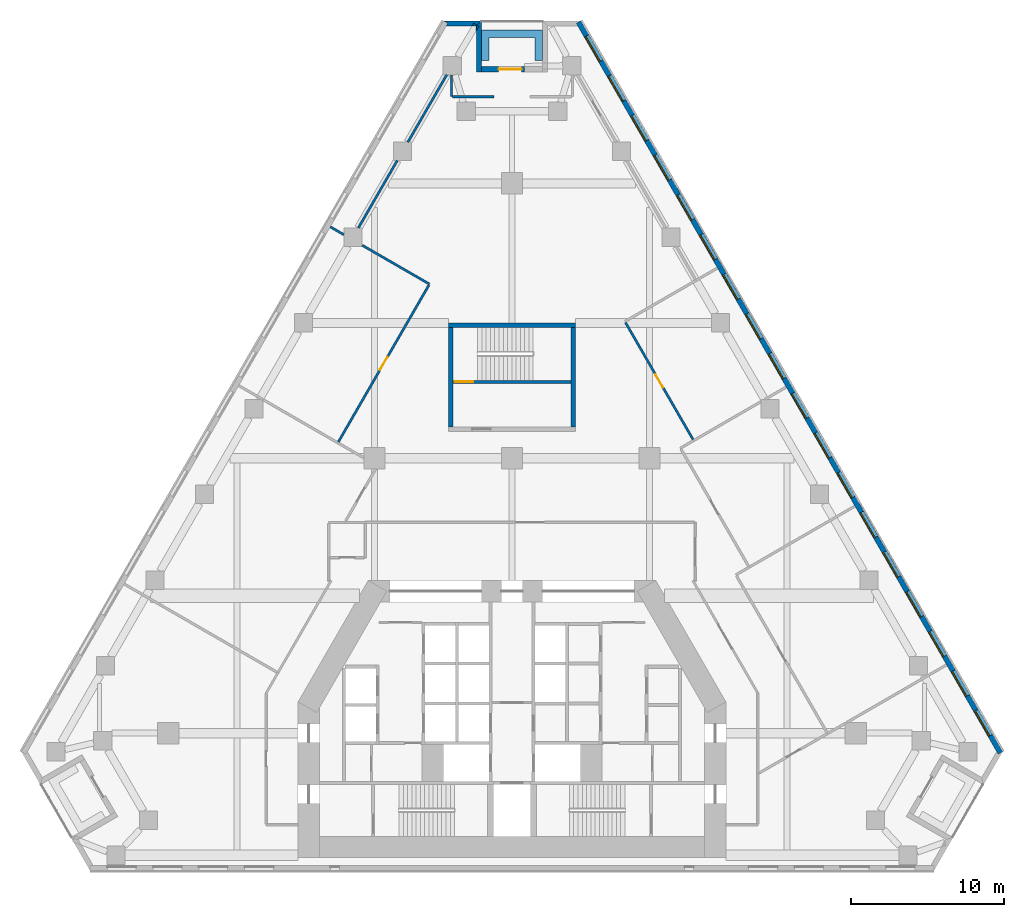
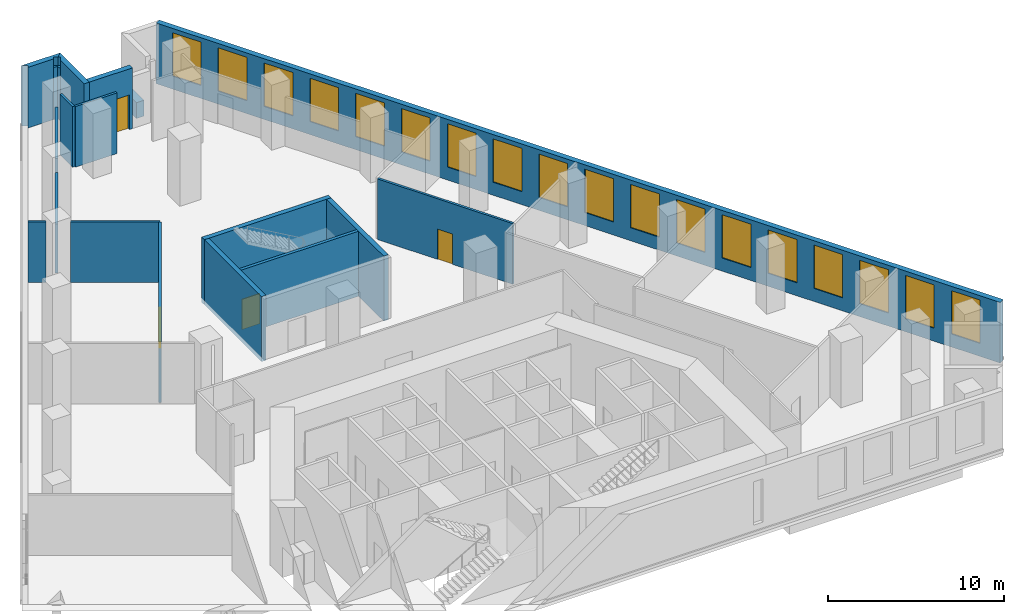
# One storey, part 8 of 10: 19 walls, 18 windows, 4 doors, 22 openings.
"""IFC4 building model written with IfcOpenShell, lengths in metres."""

from ifc_helpers import new_model, si_unit, direction, frame, frame_2d, origin, place, context, subcontext, project, spatial, polyline, rectangle, outline, extrude, material, layer, layer_set, type_object, element, fill, save


model = new_model("IFC4")

# Units and contexts
model_context = context("Model", 3, precision=1e-05, world=origin(), true_north=direction((0.0, 1.0)))
body_context = subcontext(model_context, "Body", "Model", "MODEL_VIEW")
ifc_project = project(units=[si_unit("LENGTHUNIT", "METRE"), si_unit("AREAUNIT", "SQUARE_METRE"), si_unit("VOLUMEUNIT", "CUBIC_METRE"), si_unit("PLANEANGLEUNIT", "RADIAN"), si_unit("MASSUNIT", "GRAM", prefix="KILO")], contexts=[model_context])

# Site, building, storey
site_placement = place(None, origin())
site = spatial("IfcSite", under=ifc_project, at=site_placement, CompositionType="ELEMENT")
building_placement = place(site_placement, origin())
building = spatial("IfcBuilding", under=site, at=building_placement, Name="Fogline Exchange Tower", CompositionType="ELEMENT")
storey_placement = place(building_placement, frame((0.0, 0.0, 43.0)))
storey = spatial("IfcBuildingStorey", under=building, at=storey_placement, Name="L08", CompositionType="ELEMENT", Elevation=43.0)

# Wall, opening, door
ifc_material_1 = material(Name="Concrete C40", Category="concrete")
ifc_layer_1 = layer(ifc_material_1, 0.199951171875)
ifc_layer_set_1 = layer_set([ifc_layer_1], Name="CW20R")
wall_type_1 = type_object("IfcWallType", Name="CW20R", PredefinedType="SOLIDWALL", material=ifc_layer_set_1)
wall_1_placement = place(storey_placement, frame((-3.85009765625, 32.007080078125, -0.300048828125), z_axis=(0.0, 0.0, 1.0), x_axis=(1.0, 0.0, 0.0)))
wall_1 = element("IfcWall", 1, at=wall_1_placement, inside=storey, type_object=wall_type_1, Name="Stair enclosure wall ST3", PredefinedType="SOLIDWALL", context=body_context, shape_type="SweptSolid", body=[
    extrude(rectangle(XDim=7.7001953125, YDim=0.199951171875, at=frame_2d((3.85009765625, 0.0))), origin(), (0.0, 0.0, 1.0), 4.5),
])
opening_1_placement = place(wall_1_placement, frame((0.10009765625, 0.0, 0.300048828125)))
opening_1 = element("IfcOpeningElement", 2, at=opening_1_placement, cuts=wall_1, Name="Opening T02-C024", PredefinedType="OPENING", context=body_context, shape_type="SweptSolid", body=[
    extrude(rectangle(XDim=1.199951171875, YDim=2.10009765625, at=frame_2d((0.60009765625, 1.050048828125))), frame((0.0, 0.10986328125, 0.0), z_axis=(0.0, -1.0, 0.0), x_axis=(1.0, 0.0, 0.0)), (0.0, 0.0, 1.0), 0.219970703125),
])
ifc_material_2 = material(Name="Steel and timber fire door", Category="steel")
door_type_1 = type_object("IfcDoorType", Name="D-ST1", OperationType="SINGLE_SWING_LEFT", PredefinedType="DOOR", material=ifc_material_2)
door_1_placement = place(opening_1_placement, origin())
door_1 = element("IfcDoor", 3, at=door_1_placement, inside=storey, type_object=door_type_1, Name="Stair door ST3", OperationType="SINGLE_SWING_LEFT", OverallHeight=2.10009765625, OverallWidth=1.199951171875, PredefinedType="DOOR", context=body_context, shape_type="SweptSolid", body=[
    extrude(rectangle(XDim=1.199951171875, YDim=2.10009765625, at=frame_2d((0.60009765625, 1.050048828125))), frame((0.0, 0.02490234375, 0.0), z_axis=(0.0, -1.0, 0.0), x_axis=(1.0, 0.0, 0.0)), (0.0, 0.0, 1.0), 0.050048828125),
])
fill(opening_1, door_1)

# Walls
ifc_layer_2 = layer(ifc_material_1, 0.300048828125)
ifc_layer_set_2 = layer_set([ifc_layer_2], Name="CW30")
wall_type_2 = type_object("IfcWallType", Name="CW30", PredefinedType="SOLIDWALL", material=ifc_layer_set_2)
wall_2_placement = place(storey_placement, frame((-4.14990234375, 35.70703125, -0.300048828125), z_axis=(0.0, 0.0, 1.0), x_axis=(1.0, 0.0, 0.0)))
element("IfcWall", 4, at=wall_2_placement, inside=storey, type_object=wall_type_2, Name="Stair enclosure wall ST3", PredefinedType="SOLIDWALL", context=body_context, shape_type="SweptSolid", body=[
    extrude(rectangle(XDim=8.2998046875, YDim=0.300048828125, at=frame_2d((4.14990234375, 0.0))), origin(), (0.0, 0.0, 1.0), 4.5),
])
for number, where, z_axis, x_axis, name in (
    (5, (-4.0, 29.056884765625, -0.300048828125), (0.0, 0.0, 1.0), (0.0, 1.0, 0.0), "Stair enclosure wall ST3"),
    (6, (4.0, 29.056884765625, -0.300048828125), (0.0, 0.0, 1.0), (0.0, 1.0, 0.0), "Stair enclosure wall ST3"),
):
    element("IfcWall", number, at=place(storey_placement, frame(where, z_axis=z_axis, x_axis=x_axis)), inside=storey, type_object=wall_type_2, Name=name, PredefinedType="SOLIDWALL", context=body_context, shape_type="SweptSolid", body=[
        extrude(rectangle(XDim=6.5, YDim=0.300048828125, at=frame_2d((3.25, 0.0))), origin(), (0.0, 0.0, 1.0), 4.5),
    ])

# Wall, openings, windows
ifc_material_3 = material(Name="Brick masonry", Category="masonry")
ifc_layer_3 = layer(ifc_material_3, 0.340087890625)
ifc_layer_set_3 = layer_set([ifc_layer_3], Name="FW1")
wall_type_3 = type_object("IfcWallType", Name="FW1", PredefinedType="SOLIDWALL", material=ifc_layer_set_3)
wall_3_placement = place(storey_placement, frame((31.98046875, 7.709228515625, 0.0), z_axis=(0.0, 0.0, 1.0), x_axis=(-0.500000125387, 0.866025331392, 0.0)))
wall_3 = element("IfcWall", 7, at=wall_3_placement, inside=storey, type_object=wall_type_3, Name="Brick wall L08 E", PredefinedType="SOLIDWALL", context=body_context, shape_type="SweptSolid", body=[
    extrude(rectangle(XDim=55.25537109375, YDim=0.340087890625, at=frame_2d((27.627685546875, 0.0))), origin(), (0.0, 0.0, 1.0), 4.199951171875),
])
opening_2_placement = place(wall_3_placement, frame((1.313720703125, 0.0, 0.89990234375)))
opening_2 = element("IfcOpeningElement", 8, at=opening_2_placement, cuts=wall_3, Name="Opening W2", PredefinedType="OPENING", context=body_context, shape_type="SweptSolid", body=[
    extrude(rectangle(XDim=1.885009765625, YDim=3.0, at=frame_2d((0.9423828125, 1.5))), frame((0.0, 0.18017578125, 0.0), z_axis=(0.0, -1.0, 0.0), x_axis=(1.0, 0.0, 0.0)), (0.0, 0.0, 1.0), 0.360107421875),
])
opening_3_placement = place(wall_3_placement, frame((4.313720703125, 0.0, 0.89990234375)))
opening_3 = element("IfcOpeningElement", 9, at=opening_3_placement, cuts=wall_3, Name="Opening W2", PredefinedType="OPENING", context=body_context, shape_type="SweptSolid", body=[
    extrude(rectangle(XDim=1.885009765625, YDim=3.0, at=frame_2d((0.9423828125, 1.5))), frame((0.0, 0.18017578125, 0.0), z_axis=(0.0, -1.0, 0.0), x_axis=(1.0, 0.0, 0.0)), (0.0, 0.0, 1.0), 0.360107421875),
])
opening_4_placement = place(wall_3_placement, frame((7.313720703125, 0.0, 0.89990234375)))
opening_4 = element("IfcOpeningElement", 10, at=opening_4_placement, cuts=wall_3, Name="Opening W2", PredefinedType="OPENING", context=body_context, shape_type="SweptSolid", body=[
    extrude(rectangle(XDim=1.885009765625, YDim=3.0, at=frame_2d((0.9423828125, 1.5))), frame((0.0, 0.18017578125, 0.0), z_axis=(0.0, -1.0, 0.0), x_axis=(1.0, 0.0, 0.0)), (0.0, 0.0, 1.0), 0.360107421875),
])
opening_5_placement = place(wall_3_placement, frame((10.313720703125, 0.0, 0.89990234375)))
opening_5 = element("IfcOpeningElement", 11, at=opening_5_placement, cuts=wall_3, Name="Opening W2", PredefinedType="OPENING", context=body_context, shape_type="SweptSolid", body=[
    extrude(rectangle(XDim=1.885009765625, YDim=3.0, at=frame_2d((0.9423828125, 1.5))), frame((0.0, 0.18017578125, 0.0), z_axis=(0.0, -1.0, 0.0), x_axis=(1.0, 0.0, 0.0)), (0.0, 0.0, 1.0), 0.360107421875),
])
opening_6_placement = place(wall_3_placement, frame((13.313720703125, 0.0, 0.89990234375)))
opening_6 = element("IfcOpeningElement", 12, at=opening_6_placement, cuts=wall_3, Name="Opening W2", PredefinedType="OPENING", context=body_context, shape_type="SweptSolid", body=[
    extrude(rectangle(XDim=1.885009765625, YDim=3.0, at=frame_2d((0.9423828125, 1.5))), frame((0.0, 0.18017578125, 0.0), z_axis=(0.0, -1.0, 0.0), x_axis=(1.0, 0.0, 0.0)), (0.0, 0.0, 1.0), 0.360107421875),
])
opening_7_placement = place(wall_3_placement, frame((16.313720703125, 0.0, 0.89990234375)))
opening_7 = element("IfcOpeningElement", 13, at=opening_7_placement, cuts=wall_3, Name="Opening W2", PredefinedType="OPENING", context=body_context, shape_type="SweptSolid", body=[
    extrude(rectangle(XDim=1.885009765625, YDim=3.0, at=frame_2d((0.9423828125, 1.5))), frame((0.0, 0.18017578125, 0.0), z_axis=(0.0, -1.0, 0.0), x_axis=(1.0, 0.0, 0.0)), (0.0, 0.0, 1.0), 0.360107421875),
])
opening_8_placement = place(wall_3_placement, frame((19.313720703125, 0.0, 0.89990234375)))
opening_8 = element("IfcOpeningElement", 14, at=opening_8_placement, cuts=wall_3, Name="Opening W2", PredefinedType="OPENING", context=body_context, shape_type="SweptSolid", body=[
    extrude(rectangle(XDim=1.885009765625, YDim=3.0, at=frame_2d((0.9423828125, 1.5))), frame((0.0, 0.18017578125, 0.0), z_axis=(0.0, -1.0, 0.0), x_axis=(1.0, 0.0, 0.0)), (0.0, 0.0, 1.0), 0.360107421875),
])
opening_9_placement = place(wall_3_placement, frame((22.313720703125, 0.0, 0.89990234375)))
opening_9 = element("IfcOpeningElement", 15, at=opening_9_placement, cuts=wall_3, Name="Opening W2", PredefinedType="OPENING", context=body_context, shape_type="SweptSolid", body=[
    extrude(rectangle(XDim=1.885009765625, YDim=3.0, at=frame_2d((0.9423828125, 1.5))), frame((0.0, 0.18017578125, 0.0), z_axis=(0.0, -1.0, 0.0), x_axis=(1.0, 0.0, 0.0)), (0.0, 0.0, 1.0), 0.360107421875),
])
opening_10_placement = place(wall_3_placement, frame((25.313720703125, 0.0, 0.89990234375)))
opening_10 = element("IfcOpeningElement", 16, at=opening_10_placement, cuts=wall_3, Name="Opening W2", PredefinedType="OPENING", context=body_context, shape_type="SweptSolid", body=[
    extrude(rectangle(XDim=1.885009765625, YDim=3.0, at=frame_2d((0.9423828125, 1.5))), frame((0.0, 0.18017578125, 0.0), z_axis=(0.0, -1.0, 0.0), x_axis=(1.0, 0.0, 0.0)), (0.0, 0.0, 1.0), 0.360107421875),
])
opening_11_placement = place(wall_3_placement, frame((28.313720703125, 0.0, 0.89990234375)))
opening_11 = element("IfcOpeningElement", 17, at=opening_11_placement, cuts=wall_3, Name="Opening W2", PredefinedType="OPENING", context=body_context, shape_type="SweptSolid", body=[
    extrude(rectangle(XDim=1.885009765625, YDim=3.0, at=frame_2d((0.9423828125, 1.5))), frame((0.0, 0.18017578125, 0.0), z_axis=(0.0, -1.0, 0.0), x_axis=(1.0, 0.0, 0.0)), (0.0, 0.0, 1.0), 0.360107421875),
])
opening_12_placement = place(wall_3_placement, frame((31.313720703125, 0.0, 0.89990234375)))
opening_12 = element("IfcOpeningElement", 18, at=opening_12_placement, cuts=wall_3, Name="Opening W2", PredefinedType="OPENING", context=body_context, shape_type="SweptSolid", body=[
    extrude(rectangle(XDim=1.885009765625, YDim=3.0, at=frame_2d((0.9423828125, 1.5))), frame((0.0, 0.18017578125, 0.0), z_axis=(0.0, -1.0, 0.0), x_axis=(1.0, 0.0, 0.0)), (0.0, 0.0, 1.0), 0.360107421875),
])
opening_13_placement = place(wall_3_placement, frame((34.313720703125, 0.0, 0.89990234375)))
opening_13 = element("IfcOpeningElement", 19, at=opening_13_placement, cuts=wall_3, Name="Opening W2", PredefinedType="OPENING", context=body_context, shape_type="SweptSolid", body=[
    extrude(rectangle(XDim=1.885009765625, YDim=3.0, at=frame_2d((0.9423828125, 1.5))), frame((0.0, 0.18017578125, 0.0), z_axis=(0.0, -1.0, 0.0), x_axis=(1.0, 0.0, 0.0)), (0.0, 0.0, 1.0), 0.360107421875),
])
opening_14_placement = place(wall_3_placement, frame((37.313720703125, 0.0, 0.89990234375)))
opening_14 = element("IfcOpeningElement", 20, at=opening_14_placement, cuts=wall_3, Name="Opening W2", PredefinedType="OPENING", context=body_context, shape_type="SweptSolid", body=[
    extrude(rectangle(XDim=1.885009765625, YDim=3.0, at=frame_2d((0.9423828125, 1.5))), frame((0.0, 0.18017578125, 0.0), z_axis=(0.0, -1.0, 0.0), x_axis=(1.0, 0.0, 0.0)), (0.0, 0.0, 1.0), 0.360107421875),
])
opening_15_placement = place(wall_3_placement, frame((40.313720703125, 0.0, 0.89990234375)))
opening_15 = element("IfcOpeningElement", 21, at=opening_15_placement, cuts=wall_3, Name="Opening W2", PredefinedType="OPENING", context=body_context, shape_type="SweptSolid", body=[
    extrude(rectangle(XDim=1.885009765625, YDim=3.0, at=frame_2d((0.9423828125, 1.5))), frame((0.0, 0.18017578125, 0.0), z_axis=(0.0, -1.0, 0.0), x_axis=(1.0, 0.0, 0.0)), (0.0, 0.0, 1.0), 0.360107421875),
])
opening_16_placement = place(wall_3_placement, frame((43.313720703125, 0.0, 0.89990234375)))
opening_16 = element("IfcOpeningElement", 22, at=opening_16_placement, cuts=wall_3, Name="Opening W2", PredefinedType="OPENING", context=body_context, shape_type="SweptSolid", body=[
    extrude(rectangle(XDim=1.885009765625, YDim=3.0, at=frame_2d((0.9423828125, 1.5))), frame((0.0, 0.18017578125, 0.0), z_axis=(0.0, -1.0, 0.0), x_axis=(1.0, 0.0, 0.0)), (0.0, 0.0, 1.0), 0.360107421875),
])
opening_17_placement = place(wall_3_placement, frame((46.313720703125, 0.0, 0.89990234375)))
opening_17 = element("IfcOpeningElement", 23, at=opening_17_placement, cuts=wall_3, Name="Opening W2", PredefinedType="OPENING", context=body_context, shape_type="SweptSolid", body=[
    extrude(rectangle(XDim=1.885009765625, YDim=3.0, at=frame_2d((0.9423828125, 1.5))), frame((0.0, 0.18017578125, 0.0), z_axis=(0.0, -1.0, 0.0), x_axis=(1.0, 0.0, 0.0)), (0.0, 0.0, 1.0), 0.360107421875),
])
opening_18_placement = place(wall_3_placement, frame((49.313720703125, 0.0, 0.89990234375)))
opening_18 = element("IfcOpeningElement", 24, at=opening_18_placement, cuts=wall_3, Name="Opening W2", PredefinedType="OPENING", context=body_context, shape_type="SweptSolid", body=[
    extrude(rectangle(XDim=1.885009765625, YDim=3.0, at=frame_2d((0.9423828125, 1.5))), frame((0.0, 0.18017578125, 0.0), z_axis=(0.0, -1.0, 0.0), x_axis=(1.0, 0.0, 0.0)), (0.0, 0.0, 1.0), 0.360107421875),
])
opening_19_placement = place(wall_3_placement, frame((52.313720703125, 0.0, 0.89990234375)))
opening_19 = element("IfcOpeningElement", 25, at=opening_19_placement, cuts=wall_3, Name="Opening W2", PredefinedType="OPENING", context=body_context, shape_type="SweptSolid", body=[
    extrude(rectangle(XDim=1.885009765625, YDim=3.0, at=frame_2d((0.9423828125, 1.5))), frame((0.0, 0.18017578125, 0.0), z_axis=(0.0, -1.0, 0.0), x_axis=(1.0, 0.0, 0.0)), (0.0, 0.0, 1.0), 0.360107421875),
])
ifc_material_4 = material(Name="Aluminium and glass", Category="aluminium")
window_type = type_object("IfcWindowType", Name="W2", PartitioningType="SINGLE_PANEL", PredefinedType="WINDOW", material=ifc_material_4)
window_1_placement = place(opening_2_placement, origin())
window_1 = element("IfcWindow", 26, at=window_1_placement, inside=storey, type_object=window_type, Name="W2 W2", OverallHeight=3.0, OverallWidth=1.885009765625, PartitioningType="SINGLE_PANEL", PredefinedType="WINDOW", context=body_context, shape_type="SweptSolid", body=[
    extrude(rectangle(XDim=1.885009765625, YDim=3.0, at=frame_2d((0.9423828125, 1.5))), frame((0.0, 0.110107421875, 0.0), z_axis=(0.0, -1.0, 0.0), x_axis=(1.0, 0.0, 0.0)), (0.0, 0.0, 1.0), 0.06005859375),
])
fill(opening_2, window_1)
window_2_placement = place(opening_3_placement, origin())
window_2 = element("IfcWindow", 27, at=window_2_placement, inside=storey, type_object=window_type, Name="W2 W2", OverallHeight=3.0, OverallWidth=1.885009765625, PartitioningType="SINGLE_PANEL", PredefinedType="WINDOW", context=body_context, shape_type="SweptSolid", body=[
    extrude(rectangle(XDim=1.885009765625, YDim=3.0, at=frame_2d((0.9423828125, 1.5))), frame((0.0, 0.110107421875, 0.0), z_axis=(0.0, -1.0, 0.0), x_axis=(1.0, 0.0, 0.0)), (0.0, 0.0, 1.0), 0.06005859375),
])
fill(opening_3, window_2)
window_3_placement = place(opening_4_placement, origin())
window_3 = element("IfcWindow", 28, at=window_3_placement, inside=storey, type_object=window_type, Name="W2 W2", OverallHeight=3.0, OverallWidth=1.885009765625, PartitioningType="SINGLE_PANEL", PredefinedType="WINDOW", context=body_context, shape_type="SweptSolid", body=[
    extrude(rectangle(XDim=1.885009765625, YDim=3.0, at=frame_2d((0.9423828125, 1.5))), frame((0.0, 0.110107421875, 0.0), z_axis=(0.0, -1.0, 0.0), x_axis=(1.0, 0.0, 0.0)), (0.0, 0.0, 1.0), 0.06005859375),
])
fill(opening_4, window_3)
window_4_placement = place(opening_5_placement, origin())
window_4 = element("IfcWindow", 29, at=window_4_placement, inside=storey, type_object=window_type, Name="W2 W2", OverallHeight=3.0, OverallWidth=1.885009765625, PartitioningType="SINGLE_PANEL", PredefinedType="WINDOW", context=body_context, shape_type="SweptSolid", body=[
    extrude(rectangle(XDim=1.885009765625, YDim=3.0, at=frame_2d((0.9423828125, 1.5))), frame((0.0, 0.110107421875, 0.0), z_axis=(0.0, -1.0, 0.0), x_axis=(1.0, 0.0, 0.0)), (0.0, 0.0, 1.0), 0.06005859375),
])
fill(opening_5, window_4)
window_5_placement = place(opening_6_placement, origin())
window_5 = element("IfcWindow", 30, at=window_5_placement, inside=storey, type_object=window_type, Name="W2 W2", OverallHeight=3.0, OverallWidth=1.885009765625, PartitioningType="SINGLE_PANEL", PredefinedType="WINDOW", context=body_context, shape_type="SweptSolid", body=[
    extrude(rectangle(XDim=1.885009765625, YDim=3.0, at=frame_2d((0.9423828125, 1.5))), frame((0.0, 0.110107421875, 0.0), z_axis=(0.0, -1.0, 0.0), x_axis=(1.0, 0.0, 0.0)), (0.0, 0.0, 1.0), 0.06005859375),
])
fill(opening_6, window_5)
window_6_placement = place(opening_7_placement, origin())
window_6 = element("IfcWindow", 31, at=window_6_placement, inside=storey, type_object=window_type, Name="W2 W2", OverallHeight=3.0, OverallWidth=1.885009765625, PartitioningType="SINGLE_PANEL", PredefinedType="WINDOW", context=body_context, shape_type="SweptSolid", body=[
    extrude(rectangle(XDim=1.885009765625, YDim=3.0, at=frame_2d((0.9423828125, 1.5))), frame((0.0, 0.110107421875, 0.0), z_axis=(0.0, -1.0, 0.0), x_axis=(1.0, 0.0, 0.0)), (0.0, 0.0, 1.0), 0.06005859375),
])
fill(opening_7, window_6)
window_7_placement = place(opening_8_placement, origin())
window_7 = element("IfcWindow", 32, at=window_7_placement, inside=storey, type_object=window_type, Name="W2 W2", OverallHeight=3.0, OverallWidth=1.885009765625, PartitioningType="SINGLE_PANEL", PredefinedType="WINDOW", context=body_context, shape_type="SweptSolid", body=[
    extrude(rectangle(XDim=1.885009765625, YDim=3.0, at=frame_2d((0.9423828125, 1.5))), frame((0.0, 0.110107421875, 0.0), z_axis=(0.0, -1.0, 0.0), x_axis=(1.0, 0.0, 0.0)), (0.0, 0.0, 1.0), 0.06005859375),
])
fill(opening_8, window_7)
window_8_placement = place(opening_9_placement, origin())
window_8 = element("IfcWindow", 33, at=window_8_placement, inside=storey, type_object=window_type, Name="W2 W2", OverallHeight=3.0, OverallWidth=1.885009765625, PartitioningType="SINGLE_PANEL", PredefinedType="WINDOW", context=body_context, shape_type="SweptSolid", body=[
    extrude(rectangle(XDim=1.885009765625, YDim=3.0, at=frame_2d((0.9423828125, 1.5))), frame((0.0, 0.110107421875, 0.0), z_axis=(0.0, -1.0, 0.0), x_axis=(1.0, 0.0, 0.0)), (0.0, 0.0, 1.0), 0.06005859375),
])
fill(opening_9, window_8)
window_9_placement = place(opening_10_placement, origin())
window_9 = element("IfcWindow", 34, at=window_9_placement, inside=storey, type_object=window_type, Name="W2 W2", OverallHeight=3.0, OverallWidth=1.885009765625, PartitioningType="SINGLE_PANEL", PredefinedType="WINDOW", context=body_context, shape_type="SweptSolid", body=[
    extrude(rectangle(XDim=1.885009765625, YDim=3.0, at=frame_2d((0.9423828125, 1.5))), frame((0.0, 0.110107421875, 0.0), z_axis=(0.0, -1.0, 0.0), x_axis=(1.0, 0.0, 0.0)), (0.0, 0.0, 1.0), 0.06005859375),
])
fill(opening_10, window_9)
window_10_placement = place(opening_11_placement, origin())
window_10 = element("IfcWindow", 35, at=window_10_placement, inside=storey, type_object=window_type, Name="W2 W2", OverallHeight=3.0, OverallWidth=1.885009765625, PartitioningType="SINGLE_PANEL", PredefinedType="WINDOW", context=body_context, shape_type="SweptSolid", body=[
    extrude(rectangle(XDim=1.885009765625, YDim=3.0, at=frame_2d((0.9423828125, 1.5))), frame((0.0, 0.110107421875, 0.0), z_axis=(0.0, -1.0, 0.0), x_axis=(1.0, 0.0, 0.0)), (0.0, 0.0, 1.0), 0.06005859375),
])
fill(opening_11, window_10)
window_11_placement = place(opening_12_placement, origin())
window_11 = element("IfcWindow", 36, at=window_11_placement, inside=storey, type_object=window_type, Name="W2 W2", OverallHeight=3.0, OverallWidth=1.885009765625, PartitioningType="SINGLE_PANEL", PredefinedType="WINDOW", context=body_context, shape_type="SweptSolid", body=[
    extrude(rectangle(XDim=1.885009765625, YDim=3.0, at=frame_2d((0.9423828125, 1.5))), frame((0.0, 0.110107421875, 0.0), z_axis=(0.0, -1.0, 0.0), x_axis=(1.0, 0.0, 0.0)), (0.0, 0.0, 1.0), 0.06005859375),
])
fill(opening_12, window_11)
window_12_placement = place(opening_13_placement, origin())
window_12 = element("IfcWindow", 37, at=window_12_placement, inside=storey, type_object=window_type, Name="W2 W2", OverallHeight=3.0, OverallWidth=1.885009765625, PartitioningType="SINGLE_PANEL", PredefinedType="WINDOW", context=body_context, shape_type="SweptSolid", body=[
    extrude(rectangle(XDim=1.885009765625, YDim=3.0, at=frame_2d((0.9423828125, 1.5))), frame((0.0, 0.110107421875, 0.0), z_axis=(0.0, -1.0, 0.0), x_axis=(1.0, 0.0, 0.0)), (0.0, 0.0, 1.0), 0.06005859375),
])
fill(opening_13, window_12)
window_13_placement = place(opening_14_placement, origin())
window_13 = element("IfcWindow", 38, at=window_13_placement, inside=storey, type_object=window_type, Name="W2 W2", OverallHeight=3.0, OverallWidth=1.885009765625, PartitioningType="SINGLE_PANEL", PredefinedType="WINDOW", context=body_context, shape_type="SweptSolid", body=[
    extrude(rectangle(XDim=1.885009765625, YDim=3.0, at=frame_2d((0.9423828125, 1.5))), frame((0.0, 0.110107421875, 0.0), z_axis=(0.0, -1.0, 0.0), x_axis=(1.0, 0.0, 0.0)), (0.0, 0.0, 1.0), 0.06005859375),
])
fill(opening_14, window_13)
window_14_placement = place(opening_15_placement, origin())
window_14 = element("IfcWindow", 39, at=window_14_placement, inside=storey, type_object=window_type, Name="W2 W2", OverallHeight=3.0, OverallWidth=1.885009765625, PartitioningType="SINGLE_PANEL", PredefinedType="WINDOW", context=body_context, shape_type="SweptSolid", body=[
    extrude(rectangle(XDim=1.885009765625, YDim=3.0, at=frame_2d((0.9423828125, 1.5))), frame((0.0, 0.110107421875, 0.0), z_axis=(0.0, -1.0, 0.0), x_axis=(1.0, 0.0, 0.0)), (0.0, 0.0, 1.0), 0.06005859375),
])
fill(opening_15, window_14)
window_15_placement = place(opening_16_placement, origin())
window_15 = element("IfcWindow", 40, at=window_15_placement, inside=storey, type_object=window_type, Name="W2 W2", OverallHeight=3.0, OverallWidth=1.885009765625, PartitioningType="SINGLE_PANEL", PredefinedType="WINDOW", context=body_context, shape_type="SweptSolid", body=[
    extrude(rectangle(XDim=1.885009765625, YDim=3.0, at=frame_2d((0.9423828125, 1.5))), frame((0.0, 0.110107421875, 0.0), z_axis=(0.0, -1.0, 0.0), x_axis=(1.0, 0.0, 0.0)), (0.0, 0.0, 1.0), 0.06005859375),
])
fill(opening_16, window_15)
window_16_placement = place(opening_17_placement, origin())
window_16 = element("IfcWindow", 41, at=window_16_placement, inside=storey, type_object=window_type, Name="W2 W2", OverallHeight=3.0, OverallWidth=1.885009765625, PartitioningType="SINGLE_PANEL", PredefinedType="WINDOW", context=body_context, shape_type="SweptSolid", body=[
    extrude(rectangle(XDim=1.885009765625, YDim=3.0, at=frame_2d((0.9423828125, 1.5))), frame((0.0, 0.110107421875, 0.0), z_axis=(0.0, -1.0, 0.0), x_axis=(1.0, 0.0, 0.0)), (0.0, 0.0, 1.0), 0.06005859375),
])
fill(opening_17, window_16)
window_17_placement = place(opening_18_placement, origin())
window_17 = element("IfcWindow", 42, at=window_17_placement, inside=storey, type_object=window_type, Name="W2 W2", OverallHeight=3.0, OverallWidth=1.885009765625, PartitioningType="SINGLE_PANEL", PredefinedType="WINDOW", context=body_context, shape_type="SweptSolid", body=[
    extrude(rectangle(XDim=1.885009765625, YDim=3.0, at=frame_2d((0.9423828125, 1.5))), frame((0.0, 0.110107421875, 0.0), z_axis=(0.0, -1.0, 0.0), x_axis=(1.0, 0.0, 0.0)), (0.0, 0.0, 1.0), 0.06005859375),
])
fill(opening_18, window_17)
window_18_placement = place(opening_19_placement, origin())
window_18 = element("IfcWindow", 43, at=window_18_placement, inside=storey, type_object=window_type, Name="W2 W2", OverallHeight=3.0, OverallWidth=1.885009765625, PartitioningType="SINGLE_PANEL", PredefinedType="WINDOW", context=body_context, shape_type="SweptSolid", body=[
    extrude(rectangle(XDim=1.885009765625, YDim=3.0, at=frame_2d((0.9423828125, 1.5))), frame((0.0, 0.110107421875, 0.0), z_axis=(0.0, -1.0, 0.0), x_axis=(1.0, 0.0, 0.0)), (0.0, 0.0, 1.0), 0.06005859375),
])
fill(opening_19, window_18)

# Wall, opening, door
wall_4_placement = place(storey_placement, frame((0.824462890625, 52.4765625, 0.0), z_axis=(0.0, 0.0, 1.0), x_axis=(-1.0, 0.0, 0.0)))
wall_4 = element("IfcWall", 44, at=wall_4_placement, inside=storey, type_object=wall_type_3, Name="Brick wall L08 N-bk", PredefinedType="SOLIDWALL", context=body_context, shape_type="SweptSolid", body=[
    extrude(rectangle(XDim=2.824462890625, YDim=0.340087890625, at=frame_2d((1.412109375, 0.0))), origin(), (0.0, 0.0, 1.0), 4.199951171875),
])
opening_20_placement = place(wall_4_placement, frame((0.199951171875, 0.0, 0.0)))
opening_20 = element("IfcOpeningElement", 45, at=opening_20_placement, cuts=wall_4, Name="Opening T02-E141", PredefinedType="OPENING", context=body_context, shape_type="SweptSolid", body=[
    extrude(rectangle(XDim=1.5, YDim=2.39990234375, at=frame_2d((0.75, 1.199951171875))), frame((0.0, 0.18017578125, 0.0), z_axis=(0.0, -1.0, 0.0), x_axis=(1.0, 0.0, 0.0)), (0.0, 0.0, 1.0), 0.360107421875),
])
door_type_2 = type_object("IfcDoorType", Name="ED4", OperationType="SINGLE_SWING_LEFT", PredefinedType="DOOR", material=ifc_material_4)
door_2_placement = place(opening_20_placement, frame((1.5, 0.0, 0.0), z_axis=(0.0, 0.0, 1.0), x_axis=(-1.0, 0.0, 0.0)))
door_2 = element("IfcDoor", 46, at=door_2_placement, inside=storey, type_object=door_type_2, Name="Balcony door L08 N", OperationType="DOUBLE_DOOR_SINGLE_SWING", OverallHeight=2.39990234375, OverallWidth=1.5, PredefinedType="DOOR", context=body_context, shape_type="SweptSolid", body=[
    extrude(rectangle(XDim=1.5, YDim=2.39990234375, at=frame_2d((0.75, 1.199951171875))), frame((0.0, 0.02490234375, 0.0), z_axis=(0.0, -1.0, 0.0), x_axis=(1.0, 0.0, 0.0)), (0.0, 0.0, 1.0), 0.050048828125),
])
fill(opening_20, door_2)

# Walls
wall_5_placement = place(storey_placement, origin())
element("IfcWall", 47, at=wall_5_placement, inside=storey, type_object=wall_type_3, Name="Brick wall L08 N-s2", PredefinedType="SOLIDWALL", context=body_context, shape_type="SweptSolid", body=[
    extrude(outline(polyline([(-2.340576171875, 55.306884765625), (-2.293701171875, 55.353759765625), (-2.16796875, 55.279296875), (-2.340576171875, 54.988037109375), (-2.340576171875, 55.306884765625)])), origin(), (0.0, 0.0, 1.0), 3.60009765625),
])
wall_6_placement = place(storey_placement, origin())
element("IfcWall", 48, at=wall_6_placement, inside=storey, type_object=wall_type_3, Name="Brick wall L08 N-s2", PredefinedType="SOLIDWALL", context=body_context, shape_type="SweptSolid", body=[
    extrude(outline(polyline([(-1.99951171875, 52.30615234375), (-2.340576171875, 52.30615234375), (-2.340576171875, 54.988037109375), (-2.16796875, 55.279296875), (-2.293701171875, 55.353759765625), (-1.999755859375, 55.647705078125), (-1.99951171875, 55.647705078125), (-1.99951171875, 52.30615234375)])), origin(), (0.0, 0.0, 1.0), 4.199951171875),
])
wall_7_placement = place(storey_placement, origin())
element("IfcWall", 49, at=wall_7_placement, inside=storey, type_object=wall_type_3, Name="Brick wall L08 N-c2", PredefinedType="SOLIDWALL", context=body_context, shape_type="SweptSolid", body=[
    extrude(outline(polyline([(-2.33984375, 55.30615234375), (-2.616943359375, 55.30615234375), (-2.511962890625, 55.483154296875), (-2.292724609375, 55.35302734375), (-2.33984375, 55.30615234375)])), origin(), (0.0, 0.0, 1.0), 3.60009765625),
])
wall_8_placement = place(storey_placement, origin())
element("IfcWall", 50, at=wall_8_placement, inside=storey, type_object=wall_type_3, Name="Brick wall L08 N-c2", PredefinedType="SOLIDWALL", context=body_context, shape_type="SweptSolid", body=[
    extrude(outline(polyline([(-4.206298828125, 55.476318359375), (-4.501220703125, 55.646728515625), (-4.5009765625, 55.647216796875), (-1.9990234375, 55.647216796875), (-1.998779296875, 55.64697265625), (-2.292724609375, 55.35302734375), (-2.511962890625, 55.483154296875), (-2.616943359375, 55.30615234375), (-4.3046875, 55.30615234375), (-4.206298828125, 55.476318359375)])), origin(), (0.0, 0.0, 1.0), 4.199951171875),
])
ifc_material_5 = material(Name="Concrete C30", Category="concrete")
ifc_layer_4 = layer(ifc_material_5, 0.199951171875)
ifc_layer_set_4 = layer_set([ifc_layer_4], Name="PL1")
wall_type_4 = type_object("IfcWallType", Name="PL1", PredefinedType="USERDEFINED", material=ifc_layer_set_4)
wall_9_placement = place(storey_placement, origin())
element("IfcWall", 51, at=wall_9_placement, inside=storey, type_object=wall_type_4, Name="PLANTER balcony L08 N", ObjectType="PLANTER", PredefinedType="USERDEFINED", context=body_context, shape_type="SweptSolid", body=[
    extrude(outline(polyline([(-1.5, 55.046630859375), (-2.0, 55.046630859375), (-2.0, 54.546630859375), (-2.0, 53.046630859375), (-1.5, 53.046630859375), (-1.5, 54.546630859375), (1.5, 54.546630859375), (1.5, 53.046630859375), (2.0, 53.046630859375), (2.0, 54.546630859375), (2.0, 55.046630859375), (1.5, 55.046630859375), (-1.5, 55.046630859375)])), origin(), (0.0, 0.0, 1.0), 1.10009765625),
])

# Wall, opening, door
ifc_material_6 = material(Name="Plasterboard demising partition with mineral wool and acoustic board")
ifc_layer_5 = layer(ifc_material_6, 0.14990234375)
ifc_layer_set_5 = layer_set([ifc_layer_5], Name="PW3")
wall_type_5 = type_object("IfcWallType", Name="PW3", PredefinedType="PARTITIONING", material=ifc_layer_set_5)
wall_10_placement = place(storey_placement, frame((11.855224609375, 28.226806640625, 0.0), z_axis=(0.0, 0.0, 1.0), x_axis=(-0.499984337462, 0.866034446366, 0.0)))
wall_10 = element("IfcWall", 52, at=wall_10_placement, inside=storey, type_object=wall_type_5, Name="wall-L08-W020", PredefinedType="PARTITIONING", context=body_context, shape_type="SweptSolid", body=[
    extrude(rectangle(XDim=8.849853515625, YDim=0.14990234375, at=frame_2d((4.4248046875, 0.0))), origin(), (0.0, 0.0, 1.0), 4.199951171875),
])
opening_21_placement = place(wall_10_placement, frame((3.925048828125, 0.0, 0.0)))
opening_21 = element("IfcOpeningElement", 53, at=opening_21_placement, cuts=wall_10, Name="Opening T02-D007", PredefinedType="OPENING", context=body_context, shape_type="SweptSolid", body=[
    extrude(rectangle(XDim=1.0, YDim=2.10009765625, at=frame_2d((0.5, 1.050048828125))), frame((0.0, 0.0849609375, 0.0), z_axis=(0.0, -1.0, 0.0), x_axis=(1.0, 0.0, 0.0)), (0.0, 0.0, 1.0), 0.169921875),
])
ifc_material_7 = material(Name="Fire-rated timber door leaf with steel frame", Category="steel")
door_type_3 = type_object("IfcDoorType", Name="D3", OperationType="SINGLE_SWING_LEFT", PredefinedType="DOOR", material=ifc_material_7)
door_3_placement = place(opening_21_placement, frame((1.0, 0.0, 0.0), z_axis=(0.0, 0.0, 1.0), x_axis=(-1.0, 0.0, 0.0)))
door_3 = element("IfcDoor", 54, at=door_3_placement, inside=storey, type_object=door_type_3, Name="door-L08-D007", OperationType="SINGLE_SWING_RIGHT", OverallHeight=2.10009765625, OverallWidth=1.0, PredefinedType="DOOR", context=body_context, shape_type="SweptSolid", body=[
    extrude(rectangle(XDim=1.0, YDim=2.10009765625, at=frame_2d((0.5, 1.050048828125))), frame((0.0, 0.02490234375, 0.0), z_axis=(0.0, -1.0, 0.0), x_axis=(1.0, 0.0, 0.0)), (0.0, 0.0, 1.0), 0.050048828125),
])
fill(opening_21, door_3)

# Walls
for number, where, z_axis, x_axis, name in (
    (55, (-10.0595703125, 42.082275390625, 0.0), (0.0, 0.0, 1.0), (0.499991921166, 0.866030068051, 0.0), "wall-L08-W022"),
    (56, (-6.81787109375, 47.697021484375, 0.0), (0.0, 0.0, 1.0), (0.499991921166, 0.866030068051, 0.0), "wall-L08-W023"),
):
    element("IfcWall", number, at=place(storey_placement, frame(where, z_axis=z_axis, x_axis=x_axis)), inside=storey, type_object=wall_type_5, Name=name, PredefinedType="PARTITIONING", context=body_context, shape_type="SweptSolid", body=[
        extrude(rectangle(XDim=5.09765625, YDim=0.14990234375, at=frame_2d((2.548828125, 0.0))), origin(), (0.0, 0.0, 1.0), 3.39990234375),
    ])
wall_11_placement = place(storey_placement, frame((-3.967529296875, 52.11181640625, 0.0), z_axis=(0.0, 0.0, 1.0), x_axis=(0.0, -1.0, 0.0)))
element("IfcWall", 57, at=wall_11_placement, inside=storey, type_object=wall_type_5, Name="wall-L08-W024", PredefinedType="PARTITIONING", context=body_context, shape_type="SweptSolid", body=[
    extrude(rectangle(XDim=1.4326171875, YDim=0.14990234375, at=frame_2d((0.71630859375, 0.0))), origin(), (0.0, 0.0, 1.0), 4.199951171875),
])
wall_12_placement = place(storey_placement, frame((-3.892578125, 50.67919921875, 0.0), z_axis=(0.0, 0.0, 1.0), x_axis=(1.0, 0.0, 0.0)))
element("IfcWall", 58, at=wall_12_placement, inside=storey, type_object=wall_type_5, Name="wall-L08-W025", PredefinedType="PARTITIONING", context=body_context, shape_type="SweptSolid", body=[
    extrude(rectangle(XDim=2.722900390625, YDim=0.14990234375, at=frame_2d((1.361328125, 0.0))), origin(), (0.0, 0.0, 1.0), 4.199951171875),
])

# Wall, opening, door
wall_13_placement = place(storey_placement, frame((-11.36474609375, 28.076416015625, 0.0), z_axis=(0.0, 0.0, 1.0), x_axis=(0.500001258315, 0.866024677295, 0.0)))
wall_13 = element("IfcWall", 59, at=wall_13_placement, inside=storey, type_object=wall_type_5, Name="wall-L08-W031", PredefinedType="PARTITIONING", context=body_context, shape_type="SweptSolid", body=[
    extrude(rectangle(XDim=11.85009765625, YDim=0.14990234375, at=frame_2d((5.925048828125, 0.0))), origin(), (0.0, 0.0, 1.0), 4.199951171875),
])
opening_22_placement = place(wall_13_placement, frame((5.425048828125, 0.0, 0.0)))
opening_22 = element("IfcOpeningElement", 60, at=opening_22_placement, cuts=wall_13, Name="Opening T02-D009", PredefinedType="OPENING", context=body_context, shape_type="SweptSolid", body=[
    extrude(rectangle(XDim=1.0, YDim=2.10009765625, at=frame_2d((0.5, 1.050048828125))), frame((0.0, 0.0849609375, 0.0), z_axis=(0.0, -1.0, 0.0), x_axis=(1.0, 0.0, 0.0)), (0.0, 0.0, 1.0), 0.169921875),
])
door_4_placement = place(opening_22_placement, origin())
door_4 = element("IfcDoor", 61, at=door_4_placement, inside=storey, type_object=door_type_3, Name="door-L08-D009", OperationType="SINGLE_SWING_LEFT", OverallHeight=2.10009765625, OverallWidth=1.0, PredefinedType="DOOR", context=body_context, shape_type="SweptSolid", body=[
    extrude(rectangle(XDim=1.0, YDim=2.10009765625, at=frame_2d((0.5, 1.050048828125))), frame((0.0, 0.02490234375, 0.0), z_axis=(0.0, -1.0, 0.0), x_axis=(1.0, 0.0, 0.0)), (0.0, 0.0, 1.0), 0.050048828125),
])
fill(opening_22, door_4)

# Walls
wall_14_placement = place(storey_placement, frame((-5.40234375, 38.40380859375, 0.0), z_axis=(0.0, 0.0, 1.0), x_axis=(-0.866018476441, 0.500011998318, 0.0)))
element("IfcWall", 62, at=wall_14_placement, inside=storey, type_object=wall_type_5, Name="wall-L08-W032", PredefinedType="PARTITIONING", context=body_context, shape_type="SweptSolid", body=[
    extrude(rectangle(XDim=5.0849609375, YDim=0.14990234375, at=frame_2d((2.54248046875, 0.0))), origin(), (0.0, 0.0, 1.0), 4.199951171875),
])
wall_15_placement = place(storey_placement, frame((-11.005859375, 41.638916015625, 0.0), z_axis=(0.0, 0.0, 1.0), x_axis=(-0.865972333609, 0.500091908976, 0.0)))
element("IfcWall", 63, at=wall_15_placement, inside=storey, type_object=wall_type_5, Name="wall-L08-W039", PredefinedType="PARTITIONING", context=body_context, shape_type="SweptSolid", body=[
    extrude(rectangle(XDim=1.029541015625, YDim=0.14990234375, at=frame_2d((0.5146484375, 0.0))), origin(), (0.0, 0.0, 1.0), 4.199951171875),
])

save(model, "model.ifc")
